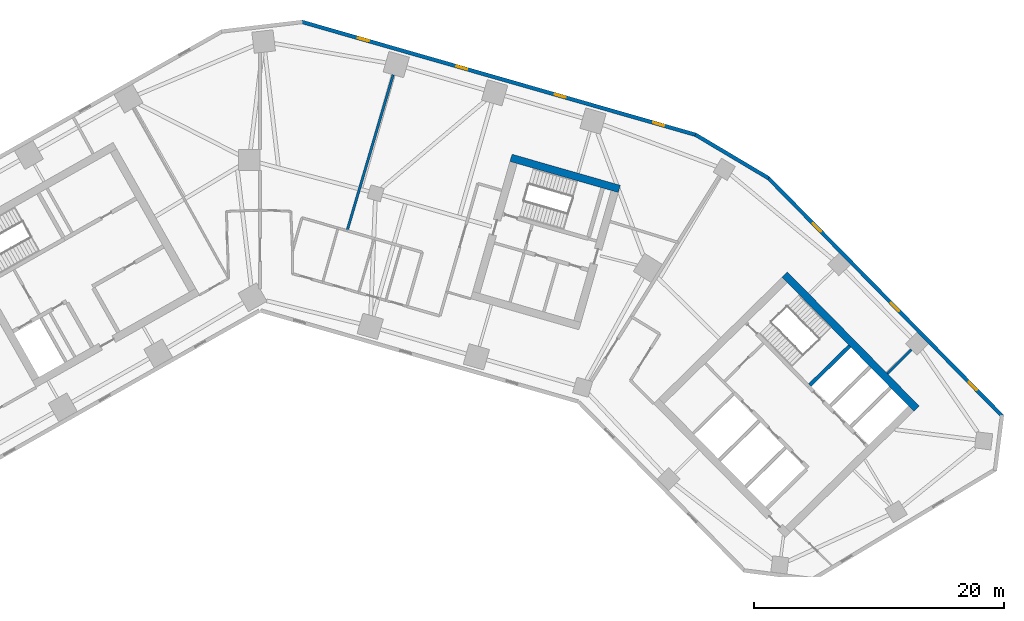
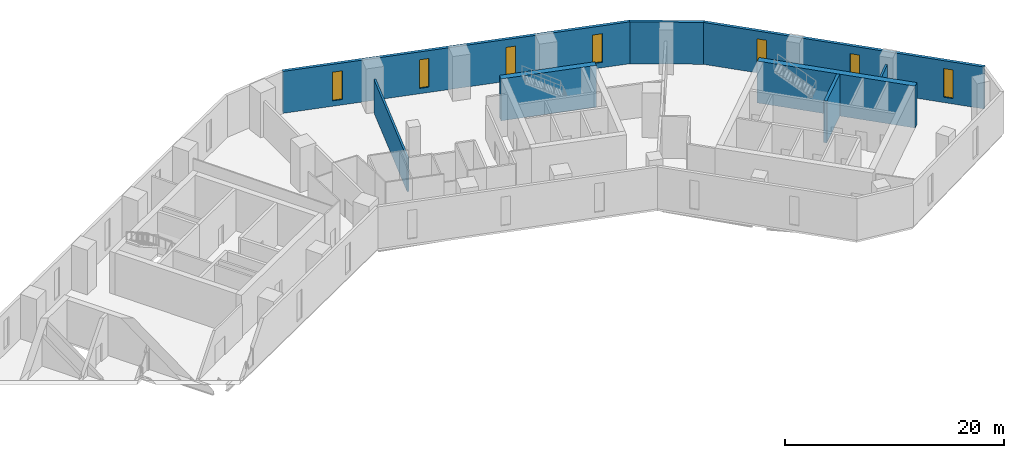
# One storey, part 7 of 10: 8 walls, 7 windows, 7 openings.
"""IFC4 building model written with IfcOpenShell, lengths in metres."""

from ifc_helpers import new_model, si_unit, direction, frame, frame_2d, origin, place, context, subcontext, project, spatial, rectangle, extrude, material, layer, layer_set, type_object, element, fill, save


model = new_model("IFC4")

# Units and contexts
model_context = context("Model", 3, precision=1e-05, world=origin(), true_north=direction((0.0, 1.0)))
body_context = subcontext(model_context, "Body", "Model", "MODEL_VIEW")
ifc_project = project(units=[si_unit("LENGTHUNIT", "METRE"), si_unit("AREAUNIT", "SQUARE_METRE"), si_unit("VOLUMEUNIT", "CUBIC_METRE"), si_unit("PLANEANGLEUNIT", "RADIAN"), si_unit("MASSUNIT", "GRAM", prefix="KILO")], contexts=[model_context])

# Site, building, storey
site_placement = place(None, origin())
site = spatial("IfcSite", under=ifc_project, at=site_placement, CompositionType="ELEMENT")
building_placement = place(site_placement, origin())
building = spatial("IfcBuilding", under=site, at=building_placement, Name="Binnacle Exchange Tower", CompositionType="ELEMENT")
storey_placement = place(building_placement, frame((0.0, 0.0, 41.5)))
storey = spatial("IfcBuildingStorey", under=building, at=storey_placement, Name="L08", CompositionType="ELEMENT", Elevation=41.5)

# Walls
ifc_material_1 = material(Name="Concrete C70/85", Category="concrete")
ifc_layer_1 = layer(ifc_material_1, 0.60009765625)
ifc_layer_set_1 = layer_set([ifc_layer_1], Name="Core wall - outer 600")
wall_type_1 = type_object("IfcWallType", Name="Core wall - outer 600", PredefinedType="SOLIDWALL", material=ifc_layer_set_1)
wall_1_placement = place(storey_placement, frame((41.91650390625, 50.855712890625, 0.0), z_axis=(0.0, 0.0, 1.0), x_axis=(0.700911255944, -0.713248491965, 0.0)))
element("IfcWall", 1, at=wall_1_placement, inside=storey, type_object=wall_type_1, Name="Core wall CRWB6", PredefinedType="SOLIDWALL", context=body_context, shape_type="SweptSolid", body=[
    extrude(rectangle(XDim=15.0, YDim=0.60009765625, at=frame_2d((7.5, 0.0))), origin(), (0.0, 0.0, 1.0), 4.679931640625),
])
wall_2_placement = place(storey_placement, frame((20.052734375, 60.1796875, 0.0), z_axis=(0.0, 0.0, 1.0), x_axis=(0.96126248289, -0.275634611374, 0.0)))
element("IfcWall", 2, at=wall_2_placement, inside=storey, type_object=wall_type_1, Name="Core wall CRWD6", PredefinedType="SOLIDWALL", context=body_context, shape_type="SweptSolid", body=[
    extrude(rectangle(XDim=9.0, YDim=0.60009765625, at=frame_2d((4.5, 0.0))), origin(), (0.0, 0.0, 1.0), 4.679931640625),
])
ifc_layer_2 = layer(ifc_material_1, 0.300048828125)
ifc_layer_set_2 = layer_set([ifc_layer_2], Name="Core wall - stair 300")
wall_type_2 = type_object("IfcWallType", Name="Core wall - stair 300", PredefinedType="SOLIDWALL", material=ifc_layer_set_2)
wall_3_placement = place(storey_placement, frame((43.925537109375, 42.034423828125, 0.0), z_axis=(0.0, 0.0, 1.0), x_axis=(0.713251741427, 0.700907949271, 0.0)))
element("IfcWall", 3, at=wall_3_placement, inside=storey, type_object=wall_type_2, Name="Core wall CRWB11", PredefinedType="SOLIDWALL", context=body_context, shape_type="SweptSolid", body=[
    extrude(rectangle(XDim=4.4501953125, YDim=0.300048828125, at=frame_2d((2.22509765625, 0.0))), origin(), (0.0, 0.0, 1.0), 4.679931640625),
])
ifc_material_2 = material(Name="Bronze aluminium cladding", Category="aluminium")
ifc_layer_3 = layer(ifc_material_2, 0.300048828125)
ifc_layer_set_3 = layer_set([ifc_layer_3], Name="External wall - spandrel 300")
wall_type_3 = type_object("IfcWallType", Name="External wall - spandrel 300", PredefinedType="STANDARD", material=ifc_layer_set_3)
wall_4_placement = place(storey_placement, frame((34.773193359375, 62.0341796875, 0.0), z_axis=(0.0, 0.0, 1.0), x_axis=(0.859401317772, -0.511301647769, 0.0)))
element("IfcWall", 4, at=wall_4_placement, inside=storey, type_object=wall_type_3, Name="External wall EW-F00 L08", PredefinedType="STANDARD", context=body_context, shape_type="SweptSolid", body=[
    extrude(rectangle(XDim=6.80810546875, YDim=0.300048828125, at=frame_2d((3.404052734375, 0.0))), origin(), (0.0, 0.0, 1.0), 4.679931640625),
])

# Wall, openings, windows
wall_5_placement = place(storey_placement, frame((3.33544921875, 71.043701171875, 0.0), z_axis=(0.0, 0.0, 1.0), x_axis=(0.961260130989, -0.275642813387, 0.0)))
wall_5 = element("IfcWall", 5, at=wall_5_placement, inside=storey, type_object=wall_type_3, Name="External wall EW-F01 L08", PredefinedType="STANDARD", context=body_context, shape_type="SweptSolid", body=[
    extrude(rectangle(XDim=32.7412109375, YDim=0.300048828125, at=frame_2d((16.37060546875, 0.0))), origin(), (0.0, 0.0, 1.0), 4.679931640625),
])
opening_1_placement = place(wall_5_placement, frame((29.20703125, 0.0, 0.60009765625)))
opening_1 = element("IfcOpeningElement", 6, at=opening_1_placement, cuts=wall_5, Name="Opening WS1", PredefinedType="OPENING", context=body_context, shape_type="SweptSolid", body=[
    extrude(rectangle(XDim=0.89990234375, YDim=3.199951171875, at=frame_2d((0.449951171875, 1.60009765625))), frame((0.0, 0.159912109375, 0.0), z_axis=(0.0, -1.0, 0.0), x_axis=(1.0, 0.0, 0.0)), (0.0, 0.0, 1.0), 0.320068359375),
])
opening_2_placement = place(wall_5_placement, frame((21.0341796875, 0.0, 0.60009765625)))
opening_2 = element("IfcOpeningElement", 7, at=opening_2_placement, cuts=wall_5, Name="Opening WS1", PredefinedType="OPENING", context=body_context, shape_type="SweptSolid", body=[
    extrude(rectangle(XDim=0.89990234375, YDim=3.199951171875, at=frame_2d((0.449951171875, 1.60009765625))), frame((0.0, 0.159912109375, 0.0), z_axis=(0.0, -1.0, 0.0), x_axis=(1.0, 0.0, 0.0)), (0.0, 0.0, 1.0), 0.320068359375),
])
opening_3_placement = place(wall_5_placement, frame((12.861083984375, 0.0, 0.60009765625)))
opening_3 = element("IfcOpeningElement", 8, at=opening_3_placement, cuts=wall_5, Name="Opening WS1", PredefinedType="OPENING", context=body_context, shape_type="SweptSolid", body=[
    extrude(rectangle(XDim=0.89990234375, YDim=3.199951171875, at=frame_2d((0.449951171875, 1.60009765625))), frame((0.0, 0.159912109375, 0.0), z_axis=(0.0, -1.0, 0.0), x_axis=(1.0, 0.0, 0.0)), (0.0, 0.0, 1.0), 0.320068359375),
])
opening_4_placement = place(wall_5_placement, frame((4.688232421875, 0.0, 0.60009765625)))
opening_4 = element("IfcOpeningElement", 9, at=opening_4_placement, cuts=wall_5, Name="Opening WS1", PredefinedType="OPENING", context=body_context, shape_type="SweptSolid", body=[
    extrude(rectangle(XDim=0.89990234375, YDim=3.199951171875, at=frame_2d((0.449951171875, 1.60009765625))), frame((0.0, 0.159912109375, 0.0), z_axis=(0.0, -1.0, 0.0), x_axis=(1.0, 0.0, 0.0)), (0.0, 0.0, 1.0), 0.320068359375),
])
ifc_material_3 = material(Name="Bronze anodised aluminium frame", Category="aluminium")
window_type = type_object("IfcWindowType", Name="WS1 WINDOW 900x3200", PartitioningType="SINGLE_PANEL", PredefinedType="WINDOW", material=ifc_material_3)
window_1_placement = place(opening_1_placement, origin())
window_1 = element("IfcWindow", 10, at=window_1_placement, inside=storey, type_object=window_type, Name="Window WS1 L08", OverallHeight=3.199951171875, OverallWidth=0.89990234375, PartitioningType="SINGLE_PANEL", PredefinedType="WINDOW", context=body_context, shape_type="SweptSolid", body=[
    extrude(rectangle(XDim=0.89990234375, YDim=3.199951171875, at=frame_2d((0.449951171875, 1.60009765625))), frame((0.0, 0.030029296875, 0.0), z_axis=(0.0, -1.0, 0.0), x_axis=(1.0, 0.0, 0.0)), (0.0, 0.0, 1.0), 0.06005859375),
])
fill(opening_1, window_1)
window_2_placement = place(opening_2_placement, origin())
window_2 = element("IfcWindow", 11, at=window_2_placement, inside=storey, type_object=window_type, Name="Window WS1 L08", OverallHeight=3.199951171875, OverallWidth=0.89990234375, PartitioningType="SINGLE_PANEL", PredefinedType="WINDOW", context=body_context, shape_type="SweptSolid", body=[
    extrude(rectangle(XDim=0.89990234375, YDim=3.199951171875, at=frame_2d((0.449951171875, 1.60009765625))), frame((0.0, 0.030029296875, 0.0), z_axis=(0.0, -1.0, 0.0), x_axis=(1.0, 0.0, 0.0)), (0.0, 0.0, 1.0), 0.06005859375),
])
fill(opening_2, window_2)
window_3_placement = place(opening_3_placement, origin())
window_3 = element("IfcWindow", 12, at=window_3_placement, inside=storey, type_object=window_type, Name="Window WS1 L08", OverallHeight=3.199951171875, OverallWidth=0.89990234375, PartitioningType="SINGLE_PANEL", PredefinedType="WINDOW", context=body_context, shape_type="SweptSolid", body=[
    extrude(rectangle(XDim=0.89990234375, YDim=3.199951171875, at=frame_2d((0.449951171875, 1.60009765625))), frame((0.0, 0.030029296875, 0.0), z_axis=(0.0, -1.0, 0.0), x_axis=(1.0, 0.0, 0.0)), (0.0, 0.0, 1.0), 0.06005859375),
])
fill(opening_3, window_3)
window_4_placement = place(opening_4_placement, origin())
window_4 = element("IfcWindow", 13, at=window_4_placement, inside=storey, type_object=window_type, Name="Window WS1 L08", OverallHeight=3.199951171875, OverallWidth=0.89990234375, PartitioningType="SINGLE_PANEL", PredefinedType="WINDOW", context=body_context, shape_type="SweptSolid", body=[
    extrude(rectangle(XDim=0.89990234375, YDim=3.199951171875, at=frame_2d((0.449951171875, 1.60009765625))), frame((0.0, 0.030029296875, 0.0), z_axis=(0.0, -1.0, 0.0), x_axis=(1.0, 0.0, 0.0)), (0.0, 0.0, 1.0), 0.06005859375),
])
fill(opening_4, window_4)

wall_6_placement = place(storey_placement, frame((40.59375, 58.576904296875, 0.0), z_axis=(0.0, 0.0, 1.0), x_axis=(0.700909719808, -0.713250001528, 0.0)))
wall_6 = element("IfcWall", 14, at=wall_6_placement, inside=storey, type_object=wall_type_3, Name="External wall EW-F13 L08", PredefinedType="STANDARD", context=body_context, shape_type="SweptSolid", body=[
    extrude(rectangle(XDim=26.70849609375, YDim=0.300048828125, at=frame_2d((13.354248046875, 0.0))), origin(), (0.0, 0.0, 1.0), 4.679931640625),
])
opening_5_placement = place(wall_6_placement, frame((22.8583984375, 0.0, 0.60009765625)))
opening_5 = element("IfcOpeningElement", 15, at=opening_5_placement, cuts=wall_6, Name="Opening WS1", PredefinedType="OPENING", context=body_context, shape_type="SweptSolid", body=[
    extrude(rectangle(XDim=0.89990234375, YDim=3.199951171875, at=frame_2d((0.449951171875, 1.60009765625))), frame((0.0, 0.159912109375, 0.0), z_axis=(0.0, -1.0, 0.0), x_axis=(1.0, 0.0, 0.0)), (0.0, 0.0, 1.0), 0.320068359375),
])
opening_6_placement = place(wall_6_placement, frame((13.986572265625, 0.0, 0.60009765625)))
opening_6 = element("IfcOpeningElement", 16, at=opening_6_placement, cuts=wall_6, Name="Opening WS1", PredefinedType="OPENING", context=body_context, shape_type="SweptSolid", body=[
    extrude(rectangle(XDim=0.89990234375, YDim=3.199951171875, at=frame_2d((0.449951171875, 1.60009765625))), frame((0.0, 0.159912109375, 0.0), z_axis=(0.0, -1.0, 0.0), x_axis=(1.0, 0.0, 0.0)), (0.0, 0.0, 1.0), 0.320068359375),
])
opening_7_placement = place(wall_6_placement, frame((5.114501953125, 0.0, 0.60009765625)))
opening_7 = element("IfcOpeningElement", 17, at=opening_7_placement, cuts=wall_6, Name="Opening WS1", PredefinedType="OPENING", context=body_context, shape_type="SweptSolid", body=[
    extrude(rectangle(XDim=0.89990234375, YDim=3.199951171875, at=frame_2d((0.449951171875, 1.60009765625))), frame((0.0, 0.159912109375, 0.0), z_axis=(0.0, -1.0, 0.0), x_axis=(1.0, 0.0, 0.0)), (0.0, 0.0, 1.0), 0.320068359375),
])
window_5_placement = place(opening_5_placement, origin())
window_5 = element("IfcWindow", 18, at=window_5_placement, inside=storey, type_object=window_type, Name="Window WS1 L08", OverallHeight=3.199951171875, OverallWidth=0.89990234375, PartitioningType="SINGLE_PANEL", PredefinedType="WINDOW", context=body_context, shape_type="SweptSolid", body=[
    extrude(rectangle(XDim=0.89990234375, YDim=3.199951171875, at=frame_2d((0.449951171875, 1.60009765625))), frame((0.0, 0.030029296875, 0.0), z_axis=(0.0, -1.0, 0.0), x_axis=(1.0, 0.0, 0.0)), (0.0, 0.0, 1.0), 0.06005859375),
])
fill(opening_5, window_5)
window_6_placement = place(opening_6_placement, origin())
window_6 = element("IfcWindow", 19, at=window_6_placement, inside=storey, type_object=window_type, Name="Window WS1 L08", OverallHeight=3.199951171875, OverallWidth=0.89990234375, PartitioningType="SINGLE_PANEL", PredefinedType="WINDOW", context=body_context, shape_type="SweptSolid", body=[
    extrude(rectangle(XDim=0.89990234375, YDim=3.199951171875, at=frame_2d((0.449951171875, 1.60009765625))), frame((0.0, 0.030029296875, 0.0), z_axis=(0.0, -1.0, 0.0), x_axis=(1.0, 0.0, 0.0)), (0.0, 0.0, 1.0), 0.06005859375),
])
fill(opening_6, window_6)
window_7_placement = place(opening_7_placement, origin())
window_7 = element("IfcWindow", 20, at=window_7_placement, inside=storey, type_object=window_type, Name="Window WS1 L08", OverallHeight=3.199951171875, OverallWidth=0.89990234375, PartitioningType="SINGLE_PANEL", PredefinedType="WINDOW", context=body_context, shape_type="SweptSolid", body=[
    extrude(rectangle(XDim=0.89990234375, YDim=3.199951171875, at=frame_2d((0.449951171875, 1.60009765625))), frame((0.0, 0.030029296875, 0.0), z_axis=(0.0, -1.0, 0.0), x_axis=(1.0, 0.0, 0.0)), (0.0, 0.0, 1.0), 0.06005859375),
])
fill(opening_7, window_7)

# Walls
ifc_material_4 = material(Name="Masonry block wall", Category="masonry")
ifc_layer_4 = layer(ifc_material_4, 0.199951171875)
ifc_layer_set_4 = layer_set([ifc_layer_4], Name="Fire wall - block 200")
wall_type_4 = type_object("IfcWallType", Name="Fire wall - block 200", PredefinedType="PARTITIONING", material=ifc_layer_set_4)
wall_7_placement = place(storey_placement, frame((6.966064453125, 54.362060546875, 0.0), z_axis=(0.0, 0.0, 1.0), x_axis=(0.283027392509, 0.959111826165, 0.0)))
element("IfcWall", 21, at=wall_7_placement, inside=storey, type_object=wall_type_4, Name="Partition W23", PredefinedType="PARTITIONING", context=body_context, shape_type="SweptSolid", body=[
    extrude(rectangle(XDim=12.98486328125, YDim=0.199951171875, at=frame_2d((6.492431640625, 0.0))), origin(), (0.0, 0.0, 1.0), 3.741943359375),
])
wall_8_placement = place(storey_placement, frame((50.111083984375, 42.945068359375, 0.0), z_axis=(0.0, 0.0, 1.0), x_axis=(0.703583283707, 0.710612807996, 0.0)))
element("IfcWall", 22, at=wall_8_placement, inside=storey, type_object=wall_type_4, Name="Partition W44", PredefinedType="PARTITIONING", context=body_context, shape_type="SweptSolid", body=[
    extrude(rectangle(XDim=2.708984375, YDim=0.199951171875, at=frame_2d((1.3544921875, 0.0))), origin(), (0.0, 0.0, 1.0), 4.2099609375),
])

save(model, "model.ifc")
